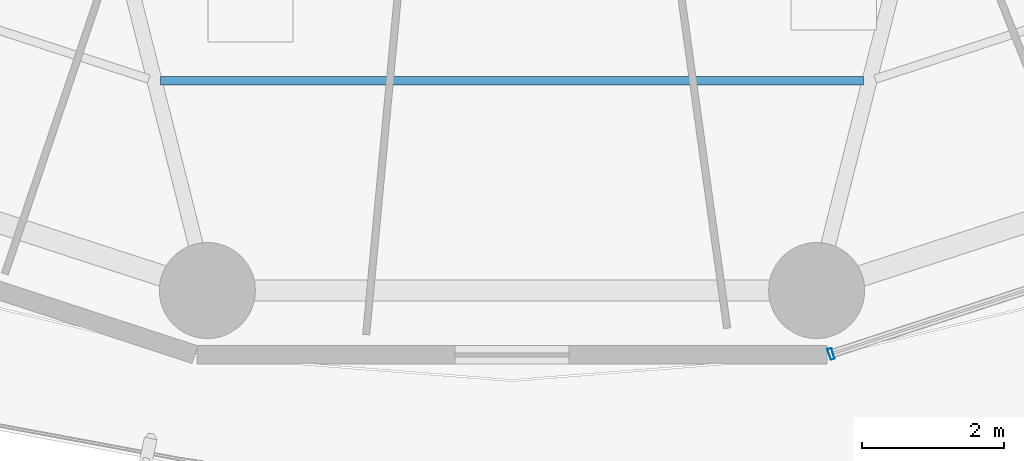
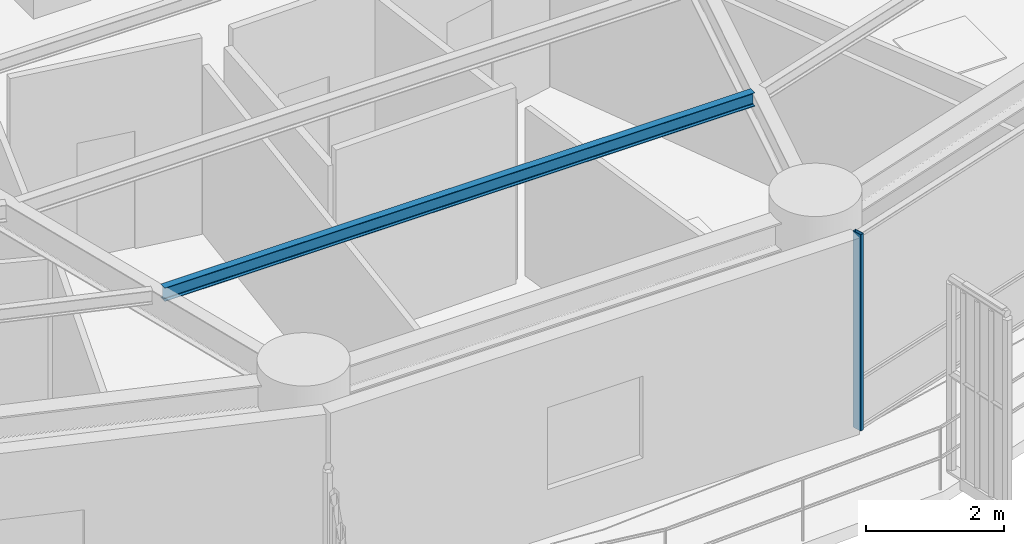
# One storey, part 4 of 35: 1 beam, 1 member, 1 element without a shape of its own.
"""IFC4 building model written with IfcOpenShell, lengths in metres."""

from ifc_helpers import new_model, si_unit, direction, frame, origin, origin_2d, place, context, subcontext, project, spatial, hollow_rectangle, i_section, extrude, material, layer, layer_set, material_profile, profile_set, type_object, element, aggregate, save


model = new_model("IFC4")

# Units and contexts
model_context = context("Model", 3, precision=1e-05, world=origin(), true_north=direction((0.0, 1.0)))
body_context = subcontext(model_context, "Body", "Model", "MODEL_VIEW")
ifc_project = project(units=[si_unit("LENGTHUNIT", "METRE"), si_unit("AREAUNIT", "SQUARE_METRE"), si_unit("VOLUMEUNIT", "CUBIC_METRE"), si_unit("PLANEANGLEUNIT", "RADIAN"), si_unit("MASSUNIT", "GRAM", prefix="KILO")], contexts=[model_context])

# Site, building, storey
site_placement = place(None, origin())
site = spatial("IfcSite", under=ifc_project, at=site_placement, CompositionType="ELEMENT")
building_placement = place(site_placement, origin())
building = spatial("IfcBuilding", under=site, at=building_placement, Name="Kelanora Arch Commons", CompositionType="ELEMENT")
storey_placement = place(building_placement, frame((0.0, 0.0, 91.35009765625)))
storey = spatial("IfcBuildingStorey", under=building, at=storey_placement, Name="L23", CompositionType="ELEMENT", Elevation=91.35009765625)

# Beam
ifc_material_1 = material(Name="Steel S355", Category="steel")
ifc_material_profile_1 = material_profile(ifc_material_1, i_section(OverallWidth=0.1201171875, OverallDepth=0.239990234375, WebThickness=0.006103515625, FlangeThickness=0.009765625, FilletRadius=0.014892578125, at=origin_2d()), Name="IPE240")
ifc_profile_set_1 = profile_set([ifc_material_profile_1], Name="Steel S355")
beam_type = type_object("IfcBeamType", Name="BM-JST-02", PredefinedType="JOIST", material=ifc_profile_set_1)
beam_placement = place(storey_placement, frame((69.056396484375, 39.204345703125, 3.369873046875), z_axis=(1.0, 0.0, 0.0), x_axis=(0.0, 1.0, 0.0)))
element("IfcBeam", 1, at=beam_placement, inside=storey, type_object=beam_type, Name="Secondary Chord Joist BJC-26 L23", PredefinedType="JOIST", context=body_context, shape_type="SweptSolid", body=[
    extrude(i_section(OverallWidth=0.1201171875, OverallDepth=0.239990234375, WebThickness=0.006103515625, FlangeThickness=0.009765625, FilletRadius=0.014892578125, at=origin_2d()), origin(), (0.0, 0.0, 1.0), 9.88720703125),
])

# Curtain wall, member
ifc_material_2 = material(Name="Terracotta ceramic-fritted low-E glass and aluminium", Category="masonry")
ifc_layer = layer(ifc_material_2, 0.159912109375)
ifc_layer_set = layer_set([ifc_layer], Name="Terracotta ceramic-fritted low-E glass and aluminium")
curtain_wall_type = type_object("IfcCurtainWallType", Name="CW-SYS-01", PredefinedType="NOTDEFINED", material=ifc_layer_set)
curtain_wall_placement = place(storey_placement, origin())
curtain_wall = element("IfcCurtainWall", 2, at=curtain_wall_placement, inside=storey, type_object=curtain_wall_type, Name="Unitised Curtain Wall L23-B14", PredefinedType="NOTDEFINED")
ifc_material_3 = material(Name="Powder-coated aluminium terracotta", Category="masonry")
ifc_material_profile_2 = material_profile(ifc_material_3, hollow_rectangle(XDim=0.159912109375, YDim=0.06005859375, WallThickness=0.0048828125, InnerFilletRadius=0.0048828125, OuterFilletRadius=0.010009765625, at=origin_2d()), Name="CWM160x60")
ifc_profile_set_2 = profile_set([ifc_material_profile_2], Name="Powder-coated aluminium terracotta")
member_type = type_object("IfcMemberType", Name="CWM-STD", PredefinedType="MULLION", material=ifc_profile_set_2)
member_placement = place(storey_placement, frame((78.48828125, 35.363525390625, 0.0), z_axis=(0.0, 0.0, 1.0), x_axis=(-0.31080470294, 0.950473795867, 0.0)))
member = element("IfcMember", 3, at=member_placement, type_object=member_type, Name="CW-01 mullion 1", PredefinedType="MULLION", context=body_context, shape_type="SweptSolid", body=[
    extrude(hollow_rectangle(XDim=0.159912109375, YDim=0.06005859375, WallThickness=0.0048828125, InnerFilletRadius=0.0048828125, OuterFilletRadius=0.010009765625, at=origin_2d()), origin(), (0.0, 0.0, 1.0), 3.474853515625),
])
aggregate(curtain_wall, [member])

save(model, "model.ifc")
